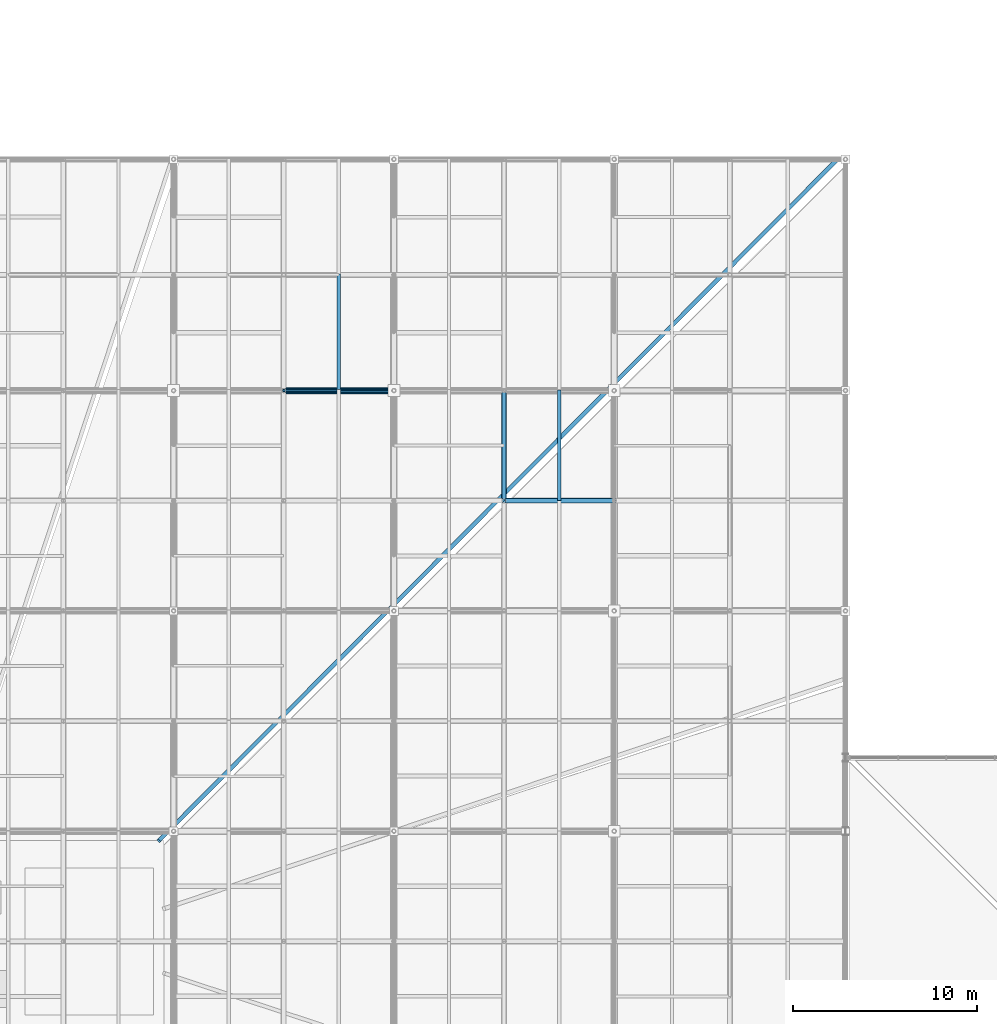
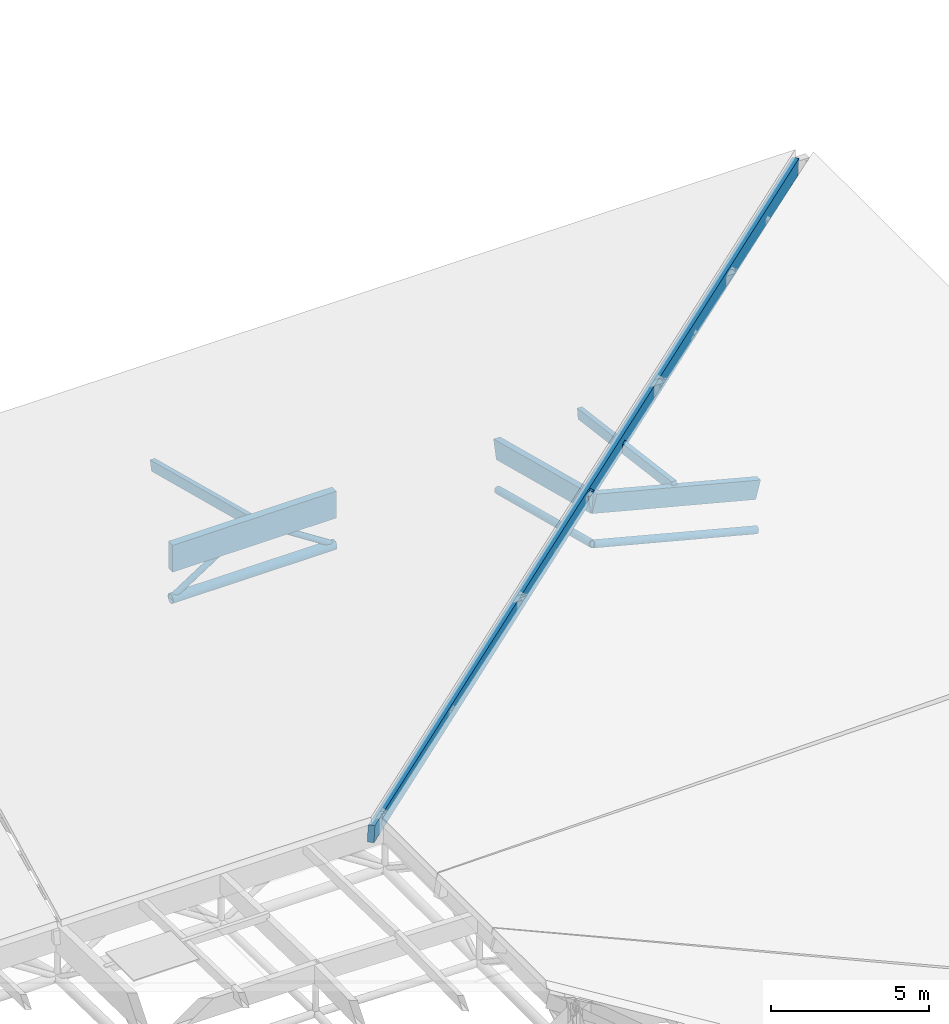
# One storey, part 64 of 80: 11 members.
"""IFC4 building model written with IfcOpenShell, lengths in metres."""

import ifcopenshell
import ifcopenshell.guid

model = None  # the IFC model being written
_history = None  # IfcOwnerHistory: only IFC2X3 demands one
_inside = {}  # id of a spatial element -> (the spatial element, [elements in it])
_under = {}  # id of a project, library or spatial element -> (it, [spatial elements below it])
_declared = {}  # id of a project -> (the project, [libraries it declares])
_typed = {}  # id of a type object -> (the type object, [elements of that type])
_made_of = {}  # id of a material, layer set ... -> (it, [elements and type objects made of it])


def new_model(schema):
    """Start an empty IFC model of exactly this schema.

    Asked for "IFC4X3", IfcOpenShell would pick the latest addendum, in which some entities
    have other attributes; the version numbers below select the first issue.
    IFC2X3 requires an IfcOwnerHistory on every rooted entity: one is made here for all.
    """
    global model, _history
    if schema == "IFC4X3":
        model = ifcopenshell.file(schema_version=(4, 3, 0, 0))
    else:
        model = ifcopenshell.file(schema=schema)
    _inside.clear()
    _under.clear()
    _declared.clear()
    _typed.clear()
    _made_of.clear()
    _history = None
    if model.schema == "IFC2X3":
        org = make("IfcOrganization", Name="unknown")
        user = make(
            "IfcPersonAndOrganization",
            ThePerson=make("IfcPerson", FamilyName="unknown"),
            TheOrganization=org,
        )
        app = make(
            "IfcApplication",
            ApplicationDeveloper=org,
            Version="unknown",
            ApplicationFullName="unknown",
            ApplicationIdentifier="unknown",
        )
        _history = make(
            "IfcOwnerHistory",
            OwningUser=user,
            OwningApplication=app,
            ChangeAction="ADDED",
            CreationDate=0,
        )
    return model


def make(cls, **values):
    """One entity of the class cls with the attributes given. An attribute that is None is left unset."""
    return model.create_entity(
        cls, **{name: value for name, value in values.items() if value is not None}
    )


def rooted(cls, **values):
    """An entity with a GlobalId (a new one), such as an element, a storey or a relation."""
    return make(cls, GlobalId=ifcopenshell.guid.new(), OwnerHistory=_history, **values)


def si_unit(unit_type, name, prefix=None):
    """IfcSIUnit, for example si_unit("LENGTHUNIT", "METRE", prefix="MILLI")."""
    return make("IfcSIUnit", UnitType=unit_type, Prefix=prefix, Name=name)


def assignment(units):
    """IfcUnitAssignment: the units of a project."""
    return None if units is None else make("IfcUnitAssignment", Units=units)


def point(xyz):
    """IfcCartesianPoint."""
    return None if xyz is None else make("IfcCartesianPoint", Coordinates=xyz)


def direction(xyz):
    """IfcDirection."""
    return None if xyz is None else make("IfcDirection", DirectionRatios=xyz)


def frame(location, z_axis=None, x_axis=None):
    """IfcAxis2Placement3D, a coordinate frame: its origin and axes. An axis left out is left unset."""
    return make(
        "IfcAxis2Placement3D",
        Location=point(location),
        Axis=direction(z_axis),
        RefDirection=direction(x_axis),
    )


def frame_2d(location, x_axis=None):
    """IfcAxis2Placement2D, a coordinate frame in the plane: its origin and x axis."""
    return make(
        "IfcAxis2Placement2D", Location=point(location), RefDirection=direction(x_axis)
    )


def origin():
    """The frame at (0, 0, 0) with its axes left unset."""
    return frame((0.0, 0.0, 0.0))


def origin_2d():
    """The frame at (0, 0) in the plane with its x axis left unset."""
    return frame_2d((0.0, 0.0))


def place(relative_to, where):
    """IfcLocalPlacement: puts the frame where relative to a parent placement (None: the world)."""
    return make(
        "IfcLocalPlacement", PlacementRelTo=relative_to, RelativePlacement=where
    )


def context(
    kind, dimensions, precision=None, world=None, true_north=None, identifier=None
):
    """IfcGeometricRepresentationContext, for example the 3D "Model" context."""
    return make(
        "IfcGeometricRepresentationContext",
        ContextIdentifier=identifier,
        ContextType=kind,
        CoordinateSpaceDimension=dimensions,
        Precision=precision,
        WorldCoordinateSystem=world,
        TrueNorth=true_north,
    )


def subcontext(parent, identifier, kind, view, scale=None):
    """IfcGeometricRepresentationSubContext, for example "Body" below "Model"."""
    return make(
        "IfcGeometricRepresentationSubContext",
        ContextIdentifier=identifier,
        ContextType=kind,
        ParentContext=parent,
        TargetScale=scale,
        TargetView=view,
    )


def project(units=None, contexts=None):
    """IfcProject with its units and contexts."""
    return rooted(
        "IfcProject",
        Name="project",
        RepresentationContexts=contexts,
        UnitsInContext=assignment(units),
    )


def spatial(cls, under=None, at=None, **own):
    """A site, building, storey or space (cls), placed at a placement, below another one or the project."""
    s = rooted(cls, ObjectPlacement=at, **own)
    if under is not None:
        _under.setdefault(under.id(), (under, []))[1].append(s)
    return s


def profile(cls, at=None, kind="AREA", **sizes):
    """A parametric profile (cls). Its sizes go by their IFC names, for example OverallWidth=200.0."""
    return make(cls, ProfileType=kind, Position=at, **sizes)


def rectangle(**sizes):
    """IfcRectangleProfileDef."""
    return profile("IfcRectangleProfileDef", **sizes)


def hollow_circle(**sizes):
    """IfcCircleHollowProfileDef."""
    return profile("IfcCircleHollowProfileDef", **sizes)


def extrude(swept, where, along, depth):
    """IfcExtrudedAreaSolid: the profile swept, set in the frame where, extruded along a direction by depth."""
    return make(
        "IfcExtrudedAreaSolid",
        SweptArea=swept,
        Position=where,
        ExtrudedDirection=direction(along),
        Depth=depth,
    )


def shape(context_of_items, identifier, shape_type, items):
    """IfcShapeRepresentation: the items that make up one representation, for example the "Body"."""
    return make(
        "IfcShapeRepresentation",
        ContextOfItems=context_of_items,
        RepresentationIdentifier=identifier,
        RepresentationType=shape_type,
        Items=items,
    )


def material(Name=None, Category=None):
    """IfcMaterial."""
    return make("IfcMaterial", Name=Name, Category=Category)


def material_profile(
    of_material, cross_section, Name=None, Category=None, Priority=None
):
    """IfcMaterialProfile: a cross section and its material."""
    return make(
        "IfcMaterialProfile",
        Name=Name,
        Material=of_material,
        Profile=cross_section,
        Priority=Priority,
        Category=Category,
    )


def profile_set(profiles, Name=None, composite=None):
    """IfcMaterialProfileSet."""
    return make(
        "IfcMaterialProfileSet",
        Name=Name,
        MaterialProfiles=profiles,
        CompositeProfile=composite,
    )


def made_of(thing, what):
    """Note that an element or type object is made of a material, layer set ...; save() writes the relation."""
    if what is not None:
        _made_of.setdefault(what.id(), (what, []))[1].append(thing)
    return thing


def type_object(cls, material=None, **own):
    """A type object (cls), such as IfcWallType, which elements share."""
    return made_of(rooted(cls, **own), material)


def element(
    cls,
    number,
    at=None,
    inside=None,
    cuts=None,
    type_object=None,
    material=None,
    context=None,
    identifier="Body",
    shape_type=None,
    held_by="IfcProductDefinitionShape",
    body=None,
    shapes=None,
    **own,
):
    """One element of the class cls, such as IfcWall. Its Tag is "e" and its number.

    at: its placement. inside: the storey or other place that contains it. cuts: it is an
    opening in that element (IfcRelVoidsElement). A single representation is given by context,
    identifier, shape_type and body (its items); several are given by shapes. held_by: the class
    of the entity that holds the representations. save() writes the other relations.
    """
    e = rooted(cls, Tag="e%d" % number, ObjectPlacement=at, **own)
    if body is not None:
        shapes = [shape(context, identifier, shape_type, body)]
    if shapes is not None:
        e.Representation = make(held_by, Representations=shapes)
    if inside is not None:
        _inside.setdefault(inside.id(), (inside, []))[1].append(e)
    if cuts is not None:
        rooted(
            "IfcRelVoidsElement", RelatingBuildingElement=cuts, RelatedOpeningElement=e
        )
    if type_object is not None:
        _typed.setdefault(type_object.id(), (type_object, []))[1].append(e)
    return made_of(e, material)


def aggregate(whole, parts):
    """IfcRelAggregates: a whole, such as a stair, and the parts it consists of."""
    return rooted("IfcRelAggregates", RelatingObject=whole, RelatedObjects=parts)


def save(model, path):
    """Write the relations noted so far, then the file.

    IfcRelAggregates (storeys below a building ...), IfcRelContainedInSpatialStructure (elements
    in a storey), IfcRelDefinesByType, IfcRelAssociatesMaterial and IfcRelDeclares: one each for
    every whole, place, type object, material and project.
    """
    for whole, parts in _under.values():
        aggregate(whole, parts)
    for where, things in _inside.values():
        rooted(
            "IfcRelContainedInSpatialStructure",
            RelatedElements=things,
            RelatingStructure=where,
        )
    for kind, things in _typed.values():
        rooted("IfcRelDefinesByType", RelatedObjects=things, RelatingType=kind)
    for what, things in _made_of.values():
        rooted("IfcRelAssociatesMaterial", RelatedObjects=things, RelatingMaterial=what)
    for by, libraries in _declared.values():
        rooted("IfcRelDeclares", RelatingContext=by, RelatedDefinitions=libraries)
    model.write(path)


model = new_model("IFC4")

# Units and contexts
model_context = context("Model", 3, precision=1e-05, world=origin(), true_north=direction((0.0, 1.0)))
body_context = subcontext(model_context, "Body", "Model", "MODEL_VIEW")
ifc_project = project(units=[si_unit("LENGTHUNIT", "METRE"), si_unit("AREAUNIT", "SQUARE_METRE"), si_unit("VOLUMEUNIT", "CUBIC_METRE"), si_unit("PLANEANGLEUNIT", "RADIAN"), si_unit("MASSUNIT", "GRAM", prefix="KILO"), si_unit("THERMODYNAMICTEMPERATUREUNIT", "KELVIN"), si_unit("POWERUNIT", "WATT")], contexts=[model_context])

# Site, building, storey
site_placement = place(None, origin())
site = spatial("IfcSite", under=ifc_project, at=site_placement, CompositionType="ELEMENT")
building_placement = place(site_placement, origin())
building = spatial("IfcBuilding", under=site, at=building_placement, Name="Solmara Park Aquatics Centre", CompositionType="ELEMENT")
storey_placement = place(building_placement, frame((0.0, 0.0, 22.800048828125)))
storey = spatial("IfcBuildingStorey", under=building, at=storey_placement, Name="RF", CompositionType="ELEMENT", Elevation=22.800048828125)

# Members
ifc_material_1 = material(Name="Structural Steel S355", Category="steel")
ifc_material_profile_1 = material_profile(ifc_material_1, hollow_circle(Radius=0.109619140625, WallThickness=0.010009765625, at=origin_2d()), Name="CHS 219.1x10")
ifc_profile_set_1 = profile_set([ifc_material_profile_1], Name="Structural Steel S355")
member_type_1 = type_object("IfcMemberType", Name="STR-BRC-CHS219", PredefinedType="BRACE", material=ifc_profile_set_1)
for number, where, z_axis, x_axis, name in (
    (1, (78.60009765625, 72.60009765625, -11.141357421875), (0.83972779743, 0.0, 0.543007574738), (0.0, 1.0, 0.0), "Roof Truss Web Diagonal X 1735"),
    (2, (84.60009765625, 72.60009765625, -11.141357421875), (-0.83972779743, 0.0, 0.543007574738), (0.0, -1.0, 0.0), "Roof Truss Web Diagonal X 1736"),
):
    element("IfcMember", number, at=place(storey_placement, frame(where, z_axis=z_axis, x_axis=x_axis)), inside=storey, type_object=member_type_1, Name=name, PredefinedType="BRACE", context=body_context, shape_type="SweptSolid", body=[
        extrude(hollow_circle(Radius=0.109619140625, WallThickness=0.010009765625, at=origin_2d()), origin(), (0.0, 0.0, 1.0), 3.572509765625),
    ])
ifc_material_profile_2 = material_profile(ifc_material_1, hollow_circle(Radius=0.136474609375, WallThickness=0.012451171875, at=origin_2d()), Name="CHS 273x12.5")
ifc_profile_set_2 = profile_set([ifc_material_profile_2], Name="Structural Steel S355")
member_type_2 = type_object("IfcMemberType", Name="STR-CHD-CHS273", PredefinedType="CHORD", material=ifc_profile_set_2)
for number, where, z_axis, x_axis, name in (
    (3, (90.60009765625, 66.60009765625, -9.58984375), (0.968155143395, 0.0, -0.250350990246), (0.0, 1.0, 0.0), "Steel Roof Truss Bottom Chord X 0428"),
    (4, (90.60009765625, 66.60009765625, -9.58984375), (0.0, 0.968155143395, -0.250350990246), (-1.0, 0.0, 0.0), "Steel Roof Truss Bottom Chord Y 0984"),
):
    element("IfcMember", number, at=place(storey_placement, frame(where, z_axis=z_axis, x_axis=x_axis)), inside=storey, type_object=member_type_2, Name=name, PredefinedType="CHORD", context=body_context, shape_type="SweptSolid", body=[
        extrude(hollow_circle(Radius=0.136474609375, WallThickness=0.012451171875, at=origin_2d()), origin(), (0.0, 0.0, 1.0), 6.197265625),
    ])
ifc_material_profile_3 = material_profile(ifc_material_1, hollow_circle(Radius=0.177734375, WallThickness=0.01611328125, at=origin_2d()), Name="CHS 355.6x16")
ifc_profile_set_3 = profile_set([ifc_material_profile_3], Name="Structural Steel S355")
member_type_3 = type_object("IfcMemberType", Name="STR-CHD-CHS355", PredefinedType="CHORD", material=ifc_profile_set_3)
member_1_placement = place(storey_placement, frame((78.60009765625, 72.60009765625, -11.141357421875), z_axis=(1.0, 0.0, 0.0), x_axis=(0.0, 1.0, 0.0)))
element("IfcMember", 5, at=member_1_placement, inside=storey, type_object=member_type_3, Name="Steel Roof Truss Bottom Chord X 0460", PredefinedType="CHORD", context=body_context, shape_type="SweptSolid", body=[
    extrude(hollow_circle(Radius=0.177734375, WallThickness=0.01611328125, at=origin_2d()), origin(), (0.0, 0.0, 1.0), 6.0),
])
ifc_material_2 = material(Name="Glulam Timber GL28h", Category="wood")
ifc_material_profile_4 = material_profile(ifc_material_2, rectangle(XDim=0.239990234375, YDim=0.719970703125, at=origin_2d()), Name="GL28h 240x720")
ifc_profile_set_4 = profile_set([ifc_material_profile_4], Name="Glulam Timber GL28h")
member_type_4 = type_object("IfcMemberType", Name="STR-CHD-GL240x720", PredefinedType="CHORD", material=ifc_profile_set_4)
for number, where, z_axis, x_axis, name in (
    (6, (90.60009765625, 66.60009765625, -7.9697265625), (0.968145594442, 0.0, -0.250387914969), (0.0, 1.0, 0.0), "Glulam Roof Truss Top Chord X 0427"),
    (7, (90.60009765625, 66.60009765625, -7.9697265625), (0.0, 0.968145594442, -0.250387914969), (-1.0, 0.0, 0.0), "Glulam Roof Truss Top Chord Y 0983"),
):
    element("IfcMember", number, at=place(storey_placement, frame(where, z_axis=z_axis, x_axis=x_axis)), inside=storey, type_object=member_type_4, Name=name, PredefinedType="CHORD", context=body_context, shape_type="SweptSolid", body=[
        extrude(rectangle(XDim=0.239990234375, YDim=0.719970703125, at=origin_2d()), origin(), (0.0, 0.0, 1.0), 6.197509765625),
    ])
ifc_material_profile_5 = material_profile(ifc_material_2, rectangle(XDim=0.280029296875, YDim=1.0400390625, at=origin_2d()), Name="GL28h 280x1040")
ifc_profile_set_5 = profile_set([ifc_material_profile_5], Name="Glulam Timber GL28h")
member_type_5 = type_object("IfcMemberType", Name="STR-CHD-GL280x1040", PredefinedType="CHORD", material=ifc_profile_set_5)
member_2_placement = place(storey_placement, frame((78.60009765625, 72.60009765625, -9.521484375), z_axis=(1.0, 0.0, 0.0), x_axis=(0.0, 1.0, 0.0)))
element("IfcMember", 8, at=member_2_placement, inside=storey, type_object=member_type_5, Name="Glulam Roof Truss Top Chord X 0459", PredefinedType="CHORD", context=body_context, shape_type="SweptSolid", body=[
    extrude(rectangle(XDim=0.280029296875, YDim=1.0400390625, at=origin_2d()), origin(), (0.0, 0.0, 1.0), 6.0),
])
ifc_material_profile_6 = material_profile(ifc_material_2, rectangle(XDim=0.179931640625, YDim=0.39990234375, at=origin_2d()), Name="GL28h 180x400")
ifc_profile_set_6 = profile_set([ifc_material_profile_6], Name="Glulam Timber GL28h")
member_type_6 = type_object("IfcMemberType", Name="STR-PRL-GL180x400", PredefinedType="PURLIN", material=ifc_profile_set_6)
member_3_placement = place(storey_placement, frame((81.60009765625, 72.60009765625, -9.201416015625), z_axis=(0.0, 0.968141893543, -0.250402224365), x_axis=(-1.0, 0.0, 0.0)))
element("IfcMember", 9, at=member_3_placement, inside=storey, type_object=member_type_6, Name="Glulam Roof Purlin 1723", PredefinedType="PURLIN", context=body_context, shape_type="SweptSolid", body=[
    extrude(rectangle(XDim=0.179931640625, YDim=0.39990234375, at=origin_2d()), origin(), (0.0, 0.0, 1.0), 6.507080078125),
])
member_4_placement = place(storey_placement, frame((93.60009765625, 66.60009765625, -8.425537109375), z_axis=(0.0, 0.991742472473, -0.128245344137), x_axis=(-1.0, 0.0, 0.0)))
element("IfcMember", 10, at=member_4_placement, inside=storey, type_object=member_type_6, Name="Glulam Roof Purlin 1776", PredefinedType="PURLIN", context=body_context, shape_type="SweptSolid", body=[
    extrude(rectangle(XDim=0.179931640625, YDim=0.39990234375, at=origin_2d()), origin(), (0.0, 0.0, 1.0), 6.050048828125),
])
ifc_material_profile_7 = material_profile(ifc_material_2, rectangle(XDim=0.219970703125, YDim=0.60009765625, at=origin_2d()), Name="GL28h 220x600")
ifc_profile_set_7 = profile_set([ifc_material_profile_7], Name="Glulam Timber GL28h")
member_type_7 = type_object("IfcMemberType", Name="STR-RFT-GL220x600", PredefinedType="RAFTER", material=ifc_profile_set_7)
member_5_placement = place(storey_placement, frame((108.762451171875, 85.199951171875, -12.60009765625), z_axis=(-0.694131423917, -0.696918308757, 0.180239943548), x_axis=(0.708522005358, -0.705688718858, 0.0)))
element("IfcMember", 11, at=member_5_placement, inside=storey, type_object=member_type_7, Name="Glulam Hip Jack Rafter NORTH-1", PredefinedType="RAFTER", context=body_context, shape_type="SweptSolid", body=[
    extrude(rectangle(XDim=0.219970703125, YDim=0.60009765625, at=origin_2d()), origin(), (0.0, 0.0, 1.0), 53.262939453125),
])

save(model, "model.ifc")
